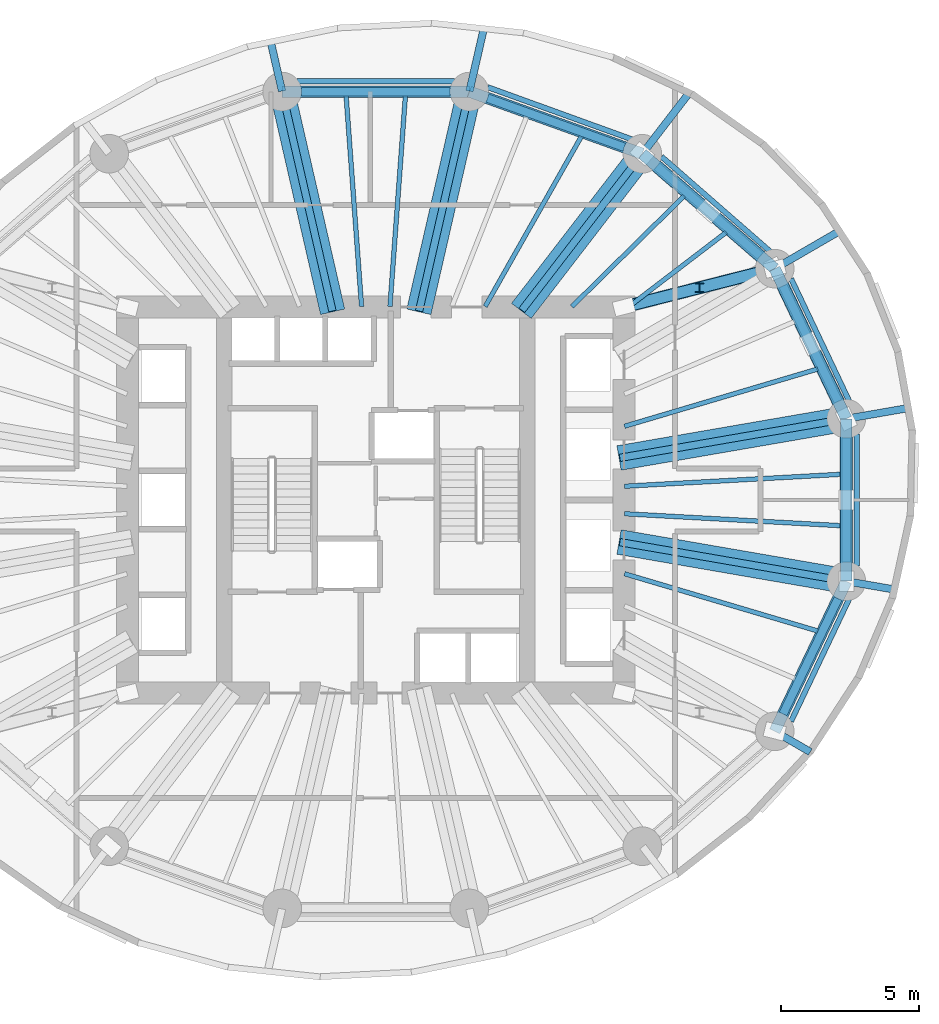
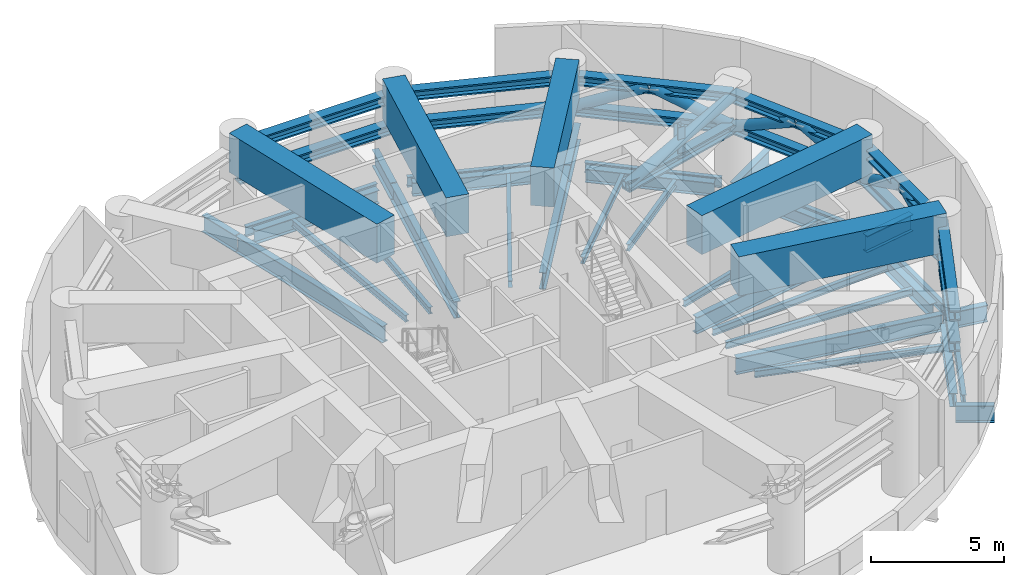
# One storey, part 3 of 8: 38 beams, 21 members.
"""IFC4 building model written with IfcOpenShell, lengths in metres."""

import ifcopenshell
import ifcopenshell.guid

model = None  # the IFC model being written
_history = None  # IfcOwnerHistory: only IFC2X3 demands one
_inside = {}  # id of a spatial element -> (the spatial element, [elements in it])
_under = {}  # id of a project, library or spatial element -> (it, [spatial elements below it])
_declared = {}  # id of a project -> (the project, [libraries it declares])
_typed = {}  # id of a type object -> (the type object, [elements of that type])
_made_of = {}  # id of a material, layer set ... -> (it, [elements and type objects made of it])


def new_model(schema):
    """Start an empty IFC model of exactly this schema.

    Asked for "IFC4X3", IfcOpenShell would pick the latest addendum, in which some entities
    have other attributes; the version numbers below select the first issue.
    IFC2X3 requires an IfcOwnerHistory on every rooted entity: one is made here for all.
    """
    global model, _history
    if schema == "IFC4X3":
        model = ifcopenshell.file(schema_version=(4, 3, 0, 0))
    else:
        model = ifcopenshell.file(schema=schema)
    _inside.clear()
    _under.clear()
    _declared.clear()
    _typed.clear()
    _made_of.clear()
    _history = None
    if model.schema == "IFC2X3":
        org = make("IfcOrganization", Name="unknown")
        user = make(
            "IfcPersonAndOrganization",
            ThePerson=make("IfcPerson", FamilyName="unknown"),
            TheOrganization=org,
        )
        app = make(
            "IfcApplication",
            ApplicationDeveloper=org,
            Version="unknown",
            ApplicationFullName="unknown",
            ApplicationIdentifier="unknown",
        )
        _history = make(
            "IfcOwnerHistory",
            OwningUser=user,
            OwningApplication=app,
            ChangeAction="ADDED",
            CreationDate=0,
        )
    return model


def make(cls, **values):
    """One entity of the class cls with the attributes given. An attribute that is None is left unset."""
    return model.create_entity(
        cls, **{name: value for name, value in values.items() if value is not None}
    )


def rooted(cls, **values):
    """An entity with a GlobalId (a new one), such as an element, a storey or a relation."""
    return make(cls, GlobalId=ifcopenshell.guid.new(), OwnerHistory=_history, **values)


def si_unit(unit_type, name, prefix=None):
    """IfcSIUnit, for example si_unit("LENGTHUNIT", "METRE", prefix="MILLI")."""
    return make("IfcSIUnit", UnitType=unit_type, Prefix=prefix, Name=name)


def assignment(units):
    """IfcUnitAssignment: the units of a project."""
    return None if units is None else make("IfcUnitAssignment", Units=units)


def point(xyz):
    """IfcCartesianPoint."""
    return None if xyz is None else make("IfcCartesianPoint", Coordinates=xyz)


def direction(xyz):
    """IfcDirection."""
    return None if xyz is None else make("IfcDirection", DirectionRatios=xyz)


def frame(location, z_axis=None, x_axis=None):
    """IfcAxis2Placement3D, a coordinate frame: its origin and axes. An axis left out is left unset."""
    return make(
        "IfcAxis2Placement3D",
        Location=point(location),
        Axis=direction(z_axis),
        RefDirection=direction(x_axis),
    )


def frame_2d(location, x_axis=None):
    """IfcAxis2Placement2D, a coordinate frame in the plane: its origin and x axis."""
    return make(
        "IfcAxis2Placement2D", Location=point(location), RefDirection=direction(x_axis)
    )


def origin():
    """The frame at (0, 0, 0) with its axes left unset."""
    return frame((0.0, 0.0, 0.0))


def origin_2d():
    """The frame at (0, 0) in the plane with its x axis left unset."""
    return frame_2d((0.0, 0.0))


def place(relative_to, where):
    """IfcLocalPlacement: puts the frame where relative to a parent placement (None: the world)."""
    return make(
        "IfcLocalPlacement", PlacementRelTo=relative_to, RelativePlacement=where
    )


def context(
    kind, dimensions, precision=None, world=None, true_north=None, identifier=None
):
    """IfcGeometricRepresentationContext, for example the 3D "Model" context."""
    return make(
        "IfcGeometricRepresentationContext",
        ContextIdentifier=identifier,
        ContextType=kind,
        CoordinateSpaceDimension=dimensions,
        Precision=precision,
        WorldCoordinateSystem=world,
        TrueNorth=true_north,
    )


def subcontext(parent, identifier, kind, view, scale=None):
    """IfcGeometricRepresentationSubContext, for example "Body" below "Model"."""
    return make(
        "IfcGeometricRepresentationSubContext",
        ContextIdentifier=identifier,
        ContextType=kind,
        ParentContext=parent,
        TargetScale=scale,
        TargetView=view,
    )


def project(units=None, contexts=None):
    """IfcProject with its units and contexts."""
    return rooted(
        "IfcProject",
        Name="project",
        RepresentationContexts=contexts,
        UnitsInContext=assignment(units),
    )


def spatial(cls, under=None, at=None, **own):
    """A site, building, storey or space (cls), placed at a placement, below another one or the project."""
    s = rooted(cls, ObjectPlacement=at, **own)
    if under is not None:
        _under.setdefault(under.id(), (under, []))[1].append(s)
    return s


def profile(cls, at=None, kind="AREA", **sizes):
    """A parametric profile (cls). Its sizes go by their IFC names, for example OverallWidth=200.0."""
    return make(cls, ProfileType=kind, Position=at, **sizes)


def rectangle(**sizes):
    """IfcRectangleProfileDef."""
    return profile("IfcRectangleProfileDef", **sizes)


def hollow_circle(**sizes):
    """IfcCircleHollowProfileDef."""
    return profile("IfcCircleHollowProfileDef", **sizes)


def i_section(**sizes):
    """IfcIShapeProfileDef."""
    return profile("IfcIShapeProfileDef", **sizes)


def extrude(swept, where, along, depth):
    """IfcExtrudedAreaSolid: the profile swept, set in the frame where, extruded along a direction by depth."""
    return make(
        "IfcExtrudedAreaSolid",
        SweptArea=swept,
        Position=where,
        ExtrudedDirection=direction(along),
        Depth=depth,
    )


def shape(context_of_items, identifier, shape_type, items):
    """IfcShapeRepresentation: the items that make up one representation, for example the "Body"."""
    return make(
        "IfcShapeRepresentation",
        ContextOfItems=context_of_items,
        RepresentationIdentifier=identifier,
        RepresentationType=shape_type,
        Items=items,
    )


def material(Name=None, Category=None):
    """IfcMaterial."""
    return make("IfcMaterial", Name=Name, Category=Category)


def material_profile(
    of_material, cross_section, Name=None, Category=None, Priority=None
):
    """IfcMaterialProfile: a cross section and its material."""
    return make(
        "IfcMaterialProfile",
        Name=Name,
        Material=of_material,
        Profile=cross_section,
        Priority=Priority,
        Category=Category,
    )


def profile_set(profiles, Name=None, composite=None):
    """IfcMaterialProfileSet."""
    return make(
        "IfcMaterialProfileSet",
        Name=Name,
        MaterialProfiles=profiles,
        CompositeProfile=composite,
    )


def made_of(thing, what):
    """Note that an element or type object is made of a material, layer set ...; save() writes the relation."""
    if what is not None:
        _made_of.setdefault(what.id(), (what, []))[1].append(thing)
    return thing


def type_object(cls, material=None, **own):
    """A type object (cls), such as IfcWallType, which elements share."""
    return made_of(rooted(cls, **own), material)


def element(
    cls,
    number,
    at=None,
    inside=None,
    cuts=None,
    type_object=None,
    material=None,
    context=None,
    identifier="Body",
    shape_type=None,
    held_by="IfcProductDefinitionShape",
    body=None,
    shapes=None,
    **own,
):
    """One element of the class cls, such as IfcWall. Its Tag is "e" and its number.

    at: its placement. inside: the storey or other place that contains it. cuts: it is an
    opening in that element (IfcRelVoidsElement). A single representation is given by context,
    identifier, shape_type and body (its items); several are given by shapes. held_by: the class
    of the entity that holds the representations. save() writes the other relations.
    """
    e = rooted(cls, Tag="e%d" % number, ObjectPlacement=at, **own)
    if body is not None:
        shapes = [shape(context, identifier, shape_type, body)]
    if shapes is not None:
        e.Representation = make(held_by, Representations=shapes)
    if inside is not None:
        _inside.setdefault(inside.id(), (inside, []))[1].append(e)
    if cuts is not None:
        rooted(
            "IfcRelVoidsElement", RelatingBuildingElement=cuts, RelatedOpeningElement=e
        )
    if type_object is not None:
        _typed.setdefault(type_object.id(), (type_object, []))[1].append(e)
    return made_of(e, material)


def aggregate(whole, parts):
    """IfcRelAggregates: a whole, such as a stair, and the parts it consists of."""
    return rooted("IfcRelAggregates", RelatingObject=whole, RelatedObjects=parts)


def save(model, path):
    """Write the relations noted so far, then the file.

    IfcRelAggregates (storeys below a building ...), IfcRelContainedInSpatialStructure (elements
    in a storey), IfcRelDefinesByType, IfcRelAssociatesMaterial and IfcRelDeclares: one each for
    every whole, place, type object, material and project.
    """
    for whole, parts in _under.values():
        aggregate(whole, parts)
    for where, things in _inside.values():
        rooted(
            "IfcRelContainedInSpatialStructure",
            RelatedElements=things,
            RelatingStructure=where,
        )
    for kind, things in _typed.values():
        rooted("IfcRelDefinesByType", RelatedObjects=things, RelatingType=kind)
    for what, things in _made_of.values():
        rooted("IfcRelAssociatesMaterial", RelatedObjects=things, RelatingMaterial=what)
    for by, libraries in _declared.values():
        rooted("IfcRelDeclares", RelatingContext=by, RelatedDefinitions=libraries)
    model.write(path)


model = new_model("IFC4")

# Units and contexts
model_context = context("Model", 3, precision=1e-05, world=origin(), true_north=direction((0.0, 1.0)))
body_context = subcontext(model_context, "Body", "Model", "MODEL_VIEW")
ifc_project = project(units=[si_unit("LENGTHUNIT", "METRE"), si_unit("AREAUNIT", "SQUARE_METRE"), si_unit("VOLUMEUNIT", "CUBIC_METRE"), si_unit("PLANEANGLEUNIT", "RADIAN"), si_unit("MASSUNIT", "GRAM", prefix="KILO")], contexts=[model_context])

# Site, building, storey
site_placement = place(None, origin())
site = spatial("IfcSite", under=ifc_project, at=site_placement, CompositionType="ELEMENT")
building_placement = place(site_placement, origin())
building = spatial("IfcBuilding", under=site, at=building_placement, Name="Veldorim Arch Residences", CompositionType="ELEMENT")
storey_placement = place(building_placement, frame((0.0, 0.0, 66.39990234375)))
storey = spatial("IfcBuildingStorey", under=building, at=storey_placement, Name="L19", CompositionType="ELEMENT", Elevation=66.39990234375)

# Members
ifc_material_1 = material(Name="Steel S460", Category="steel")
ifc_material_profile_1 = material_profile(ifc_material_1, hollow_circle(Radius=0.228515625, WallThickness=0.030029296875, at=origin_2d()), Name="CHS457x30")
ifc_profile_set_1 = profile_set([ifc_material_profile_1], Name="Steel S460")
member_type_1 = type_object("IfcMemberType", Name="Crown Diagrid CHS457x30", PredefinedType="BRACE", material=ifc_profile_set_1)
for number, where, z_axis, x_axis, name in (
    (1, (49.065673828125, 26.94580078125, 2.239990234375), (-0.389706081504, 0.816471226576, 0.426032752511), (-0.902469594312, -0.430753562194, 0.0), "L19 belt truss chevron brace 01A"),
    (2, (46.467529296875, 32.38916015625, 2.239990234375), (0.389706081504, -0.816471226576, 0.426032752511), (0.902469594312, 0.430753562194, 0.0), "L19 belt truss chevron brace 01B"),
):
    element("IfcMember", number, at=place(storey_placement, frame(where, z_axis=z_axis, x_axis=x_axis)), inside=storey, type_object=member_type_1, Name=name, PredefinedType="BRACE", context=body_context, shape_type="SweptSolid", body=[
        extrude(hollow_circle(Radius=0.228515625, WallThickness=0.030029296875, at=origin_2d()), origin(), (0.0, 0.0, 1.0), 3.33349609375),
    ])
for number, where, z_axis, x_axis, name in (
    (3, (46.467529296875, 32.38916015625, 2.239990234375), (-0.689523739175, 0.598414865491, 0.407991007098), (-0.655448058014, -0.755240255313, 0.0), "L19 belt truss chevron brace 02A"),
    (4, (41.6669921875, 36.55517578125, 2.239990234375), (0.689560527729, -0.598385925812, 0.407971276424), (0.655410030745, 0.755273256245, 0.0), "L19 belt truss chevron brace 02B"),
):
    element("IfcMember", number, at=place(storey_placement, frame(where, z_axis=z_axis, x_axis=x_axis)), inside=storey, type_object=member_type_1, Name=name, PredefinedType="BRACE", context=body_context, shape_type="SweptSolid", body=[
        extrude(hollow_circle(Radius=0.228515625, WallThickness=0.030029296875, at=origin_2d()), origin(), (0.0, 0.0, 1.0), 3.48095703125),
    ])
for number, where, z_axis, x_axis, name in (
    (5, (49.065673828125, 21.05419921875, 2.239990234375), (0.0, 0.900784326413, 0.434266735185), (-1.0, 0.0, 0.0), "L19 belt truss chevron brace 16A"),
    (6, (49.065673828125, 26.94580078125, 2.239990234375), (0.0, -0.900784326413, 0.434266735185), (1.0, 0.0, 0.0), "L19 belt truss chevron brace 16B"),
):
    element("IfcMember", number, at=place(storey_placement, frame(where, z_axis=z_axis, x_axis=x_axis)), inside=storey, type_object=member_type_1, Name=name, PredefinedType="BRACE", context=body_context, shape_type="SweptSolid", body=[
        extrude(hollow_circle(Radius=0.228515625, WallThickness=0.030029296875, at=origin_2d()), origin(), (0.0, 0.0, 1.0), 3.270263671875),
    ])
member_1_placement = place(storey_placement, frame((41.0, 31.0, 2.239990234375), z_axis=(0.939880508049, 0.238799736138, 0.244129712673), x_axis=(-0.246250643777, 0.969206180562, 0.0)))
element("IfcMember", 7, at=member_1_placement, inside=storey, type_object=member_type_1, Name="L19 outrigger truss diagonal 02", PredefinedType="BRACE", context=body_context, shape_type="SweptSolid", body=[
    extrude(hollow_circle(Radius=0.228515625, WallThickness=0.030029296875, at=origin_2d()), origin(), (0.0, 0.0, 1.0), 5.817138671875),
])

# Beams
ifc_material_2 = material(Name="Concrete C50/60", Category="concrete")
ifc_material_profile_2 = material_profile(ifc_material_2, rectangle(XDim=0.89990234375, YDim=1.800048828125, at=origin_2d()), Name="RC_RECT_900x1800")
ifc_profile_set_2 = profile_set([ifc_material_profile_2], Name="Concrete C50/60")
beam_type_1 = type_object("IfcBeamType", Name="Reinforced Concrete TRANSFER GIRDER RC_RECT_900x1800", PredefinedType="USERDEFINED", material=ifc_profile_set_2)
beam_1_placement = place(storey_placement, frame((40.822509765625, 25.52294921875, 3.580078125), z_axis=(0.985427744157, 0.170094565009, 0.0), x_axis=(-0.170094565009, 0.985427744157, 0.0)))
element("IfcBeam", 8, at=beam_1_placement, inside=storey, type_object=beam_type_1, Name="L19 zone-setback radial transfer girder 01", ObjectType="TRANSFER GIRDER", PredefinedType="USERDEFINED", context=body_context, shape_type="SweptSolid", body=[
    extrude(rectangle(XDim=0.89990234375, YDim=1.800048828125, at=origin_2d()), origin(), (0.0, 0.0, 1.0), 8.364990234375),
])
beam_2_placement = place(storey_placement, frame((37.27978515625, 30.857421875, 3.580078125), z_axis=(0.610088058259, 0.792333617342, 0.0), x_axis=(-0.792333617342, 0.610088058259, 0.0)))
element("IfcBeam", 9, at=beam_2_placement, inside=storey, type_object=beam_type_1, Name="L19 zone-setback radial transfer girder 03", ObjectType="TRANSFER GIRDER", PredefinedType="USERDEFINED", context=body_context, shape_type="SweptSolid", body=[
    extrude(rectangle(XDim=0.89990234375, YDim=1.800048828125, at=origin_2d()), origin(), (0.0, 0.0, 1.0), 7.191162109375),
])
for number, where, z_axis, x_axis, name in (
    (10, (33.564208984375, 30.824462890625, 3.580078125), (0.223416267343, 0.974723125552, 0.0), (-0.974723125552, 0.223416267343, 0.0), "L19 zone-setback radial transfer girder 04"),
    (11, (30.435791015625, 30.824462890625, 3.580078125), (-0.223416267343, 0.974723125552, 0.0), (-0.974723125552, -0.223416267343, 0.0), "L19 zone-setback radial transfer girder 05"),
):
    element("IfcBeam", number, at=place(storey_placement, frame(where, z_axis=z_axis, x_axis=x_axis)), inside=storey, type_object=beam_type_1, Name=name, ObjectType="TRANSFER GIRDER", PredefinedType="USERDEFINED", context=body_context, shape_type="SweptSolid", body=[
        extrude(rectangle(XDim=0.89990234375, YDim=1.800048828125, at=origin_2d()), origin(), (0.0, 0.0, 1.0), 8.1923828125),
    ])
beam_3_placement = place(storey_placement, frame((40.822509765625, 22.47705078125, 3.580078125), z_axis=(0.985427744157, -0.170094565009, 0.0), x_axis=(0.170094565009, 0.985427744157, 0.0)))
element("IfcBeam", 12, at=beam_3_placement, inside=storey, type_object=beam_type_1, Name="L19 zone-setback radial transfer girder 16", ObjectType="TRANSFER GIRDER", PredefinedType="USERDEFINED", context=body_context, shape_type="SweptSolid", body=[
    extrude(rectangle(XDim=0.89990234375, YDim=1.800048828125, at=origin_2d()), origin(), (0.0, 0.0, 1.0), 8.364990234375),
])
ifc_material_3 = material(Name="Steel S355", Category="steel")
ifc_material_profile_3 = material_profile(ifc_material_3, i_section(OverallWidth=0.30712890625, OverallDepth=0.6201171875, WebThickness=0.01416015625, FlangeThickness=0.023681640625, at=origin_2d()), Name="UB610x305x179")
ifc_profile_set_3 = profile_set([ifc_material_profile_3], Name="Steel S355")
beam_type_2 = type_object("IfcBeamType", Name="Structural Steel Beam UB610x305x179", PredefinedType="BEAM", material=ifc_profile_set_3)
beam_4_placement = place(storey_placement, frame((48.76416015625, 27.57763671875, -0.7099609375), z_axis=(-0.430776422552, 0.902458682585, 0.0), x_axis=(-0.902458682585, -0.430776422552, 0.0)))
element("IfcBeam", 13, at=beam_4_placement, inside=storey, type_object=beam_type_2, Name="L19 perimeter ring tie beam 01", PredefinedType="BEAM", context=body_context, shape_type="SweptSolid", body=[
    extrude(i_section(OverallWidth=0.30712890625, OverallDepth=0.6201171875, WebThickness=0.01416015625, FlangeThickness=0.023681640625, at=origin_2d()), origin(), (0.0, 0.0, 1.0), 4.63134765625),
])
beam_5_placement = place(storey_placement, frame((45.93896484375, 32.847900390625, -0.7099609375), z_axis=(-0.755264734985, 0.655419850239, 0.0), x_axis=(-0.655419850239, -0.755264734985, 0.0)))
element("IfcBeam", 14, at=beam_5_placement, inside=storey, type_object=beam_type_2, Name="L19 perimeter ring tie beam 02", PredefinedType="BEAM", context=body_context, shape_type="SweptSolid", body=[
    extrude(i_section(OverallWidth=0.30712890625, OverallDepth=0.6201171875, WebThickness=0.01416015625, FlangeThickness=0.023681640625, at=origin_2d()), origin(), (0.0, 0.0, 1.0), 4.956298828125),
])
beam_6_placement = place(storey_placement, frame((41.00830078125, 36.7919921875, -0.7099609375), z_axis=(-0.941058113369, 0.338244922006, 0.0), x_axis=(-0.338244922006, -0.941058113369, 0.0)))
element("IfcBeam", 15, at=beam_6_placement, inside=storey, type_object=beam_type_2, Name="L19 perimeter ring tie beam 03", PredefinedType="BEAM", context=body_context, shape_type="SweptSolid", body=[
    extrude(i_section(OverallWidth=0.30712890625, OverallDepth=0.6201171875, WebThickness=0.01416015625, FlangeThickness=0.023681640625, at=origin_2d()), origin(), (0.0, 0.0, 1.0), 5.265380859375),
])
beam_7_placement = place(storey_placement, frame((34.694580078125, 38.809814453125, -0.7099609375), z_axis=(-1.0, 0.0, 0.0), x_axis=(0.0, -1.0, 0.0)))
element("IfcBeam", 16, at=beam_7_placement, inside=storey, type_object=beam_type_2, Name="L19 perimeter ring tie beam 04", PredefinedType="BEAM", context=body_context, shape_type="SweptSolid", body=[
    extrude(i_section(OverallWidth=0.30712890625, OverallDepth=0.6201171875, WebThickness=0.01416015625, FlangeThickness=0.023681640625, at=origin_2d()), origin(), (0.0, 0.0, 1.0), 5.38916015625),
])
beam_8_placement = place(storey_placement, frame((46.76904296875, 16.24267578125, -0.7099609375), z_axis=(0.430776422552, 0.902458682585, 0.0), x_axis=(-0.902458682585, 0.430776422552, 0.0)))
element("IfcBeam", 17, at=beam_8_placement, inside=storey, type_object=beam_type_2, Name="L19 perimeter ring tie beam 15", PredefinedType="BEAM", context=body_context, shape_type="SweptSolid", body=[
    extrude(i_section(OverallWidth=0.30712890625, OverallDepth=0.6201171875, WebThickness=0.01416015625, FlangeThickness=0.023681640625, at=origin_2d()), origin(), (0.0, 0.0, 1.0), 4.63134765625),
])
beam_9_placement = place(storey_placement, frame((49.065673828125, 21.754150390625, -0.7099609375), z_axis=(0.0, 1.0, 0.0), x_axis=(-1.0, 0.0, 0.0)))
element("IfcBeam", 18, at=beam_9_placement, inside=storey, type_object=beam_type_2, Name="L19 perimeter ring tie beam 16", PredefinedType="BEAM", context=body_context, shape_type="SweptSolid", body=[
    extrude(i_section(OverallWidth=0.30712890625, OverallDepth=0.6201171875, WebThickness=0.01416015625, FlangeThickness=0.023681640625, at=origin_2d()), origin(), (0.0, 0.0, 1.0), 4.49169921875),
])
ifc_material_4 = material(Name="Steel S355", Category="steel")
ifc_material_profile_4 = material_profile(ifc_material_4, i_section(OverallWidth=0.26806640625, OverallDepth=0.769775390625, WebThickness=0.015625, FlangeThickness=0.025390625, at=origin_2d()), Name="UB762x267x197")
ifc_profile_set_4 = profile_set([ifc_material_profile_4], Name="Steel S355")
beam_type_3 = type_object("IfcBeamType", Name="Structural Steel GIRDER UB762x267x197", PredefinedType="USERDEFINED", material=ifc_profile_set_4)
beam_10_placement = place(storey_placement, frame((40.852294921875, 25.528076171875, -0.784912109375), z_axis=(0.985427548249, 0.170095699979, 0.0), x_axis=(-0.170095699979, 0.985427548249, 0.0)))
element("IfcBeam", 19, at=beam_10_placement, inside=storey, type_object=beam_type_3, Name="L19 radial floor girder 01", ObjectType="GIRDER", PredefinedType="USERDEFINED", context=body_context, shape_type="SweptSolid", body=[
    extrude(i_section(OverallWidth=0.26806640625, OverallDepth=0.769775390625, WebThickness=0.015625, FlangeThickness=0.025390625, at=origin_2d()), origin(), (0.0, 0.0, 1.0), 8.314697265625),
])
beam_11_placement = place(storey_placement, frame((49.08544921875, 26.94921875, -0.784912109375), z_axis=(0.985417723947, 0.170152606007, 0.0), x_axis=(-0.170152606007, 0.985417723947, 0.0)))
element("IfcBeam", 20, at=beam_11_placement, inside=storey, type_object=beam_type_3, Name="L19 radial edge cantilever girder 01", ObjectType="GIRDER", PredefinedType="USERDEFINED", context=body_context, shape_type="SweptSolid", body=[
    extrude(i_section(OverallWidth=0.26806640625, OverallDepth=0.769775390625, WebThickness=0.015625, FlangeThickness=0.025390625, at=origin_2d()), origin(), (0.0, 0.0, 1.0), 2.2626953125),
])
beam_12_placement = place(storey_placement, frame((46.48486328125, 32.399169921875, -0.784912109375), z_axis=(0.86508305724, 0.501628651571, 0.0), x_axis=(-0.501628651571, 0.86508305724, 0.0)))
element("IfcBeam", 21, at=beam_12_placement, inside=storey, type_object=beam_type_3, Name="L19 radial edge cantilever girder 02", ObjectType="GIRDER", PredefinedType="USERDEFINED", context=body_context, shape_type="SweptSolid", body=[
    extrude(i_section(OverallWidth=0.26806640625, OverallDepth=0.769775390625, WebThickness=0.015625, FlangeThickness=0.025390625, at=origin_2d()), origin(), (0.0, 0.0, 1.0), 2.6962890625),
])
beam_13_placement = place(storey_placement, frame((37.298095703125, 30.881103515625, -0.784912109375), z_axis=(0.610082439157, 0.792337943956, 0.0), x_axis=(-0.792337943956, 0.610082439157, 0.0)))
element("IfcBeam", 22, at=beam_13_placement, inside=storey, type_object=beam_type_3, Name="L19 radial floor girder 03", ObjectType="GIRDER", PredefinedType="USERDEFINED", context=body_context, shape_type="SweptSolid", body=[
    extrude(i_section(OverallWidth=0.26806640625, OverallDepth=0.769775390625, WebThickness=0.015625, FlangeThickness=0.025390625, at=origin_2d()), origin(), (0.0, 0.0, 1.0), 7.14111328125),
])
beam_14_placement = place(storey_placement, frame((41.67919921875, 36.571044921875, -0.784912109375), z_axis=(0.610050554915, 0.792362493085, 0.0), x_axis=(-0.792362493085, 0.610050554915, 0.0)))
element("IfcBeam", 23, at=beam_14_placement, inside=storey, type_object=beam_type_3, Name="L19 radial edge cantilever girder 03", ObjectType="GIRDER", PredefinedType="USERDEFINED", context=body_context, shape_type="SweptSolid", body=[
    extrude(i_section(OverallWidth=0.26806640625, OverallDepth=0.769775390625, WebThickness=0.015625, FlangeThickness=0.025390625, at=origin_2d()), origin(), (0.0, 0.0, 1.0), 2.77734375),
])
beam_15_placement = place(storey_placement, frame((33.571044921875, 30.853759765625, -0.784912109375), z_axis=(0.223411766201, 0.974724157248, 0.0), x_axis=(-0.974724157248, 0.223411766201, 0.0)))
element("IfcBeam", 24, at=beam_15_placement, inside=storey, type_object=beam_type_3, Name="L19 radial floor girder 04", ObjectType="GIRDER", PredefinedType="USERDEFINED", context=body_context, shape_type="SweptSolid", body=[
    extrude(i_section(OverallWidth=0.26806640625, OverallDepth=0.769775390625, WebThickness=0.015625, FlangeThickness=0.025390625, at=origin_2d()), origin(), (0.0, 0.0, 1.0), 8.142333984375),
])
beam_16_placement = place(storey_placement, frame((35.399169921875, 38.829345703125, -0.784912109375), z_axis=(0.223361660635, 0.974735640345, 0.0), x_axis=(-0.974735640345, 0.223361660635, 0.0)))
element("IfcBeam", 25, at=beam_16_placement, inside=storey, type_object=beam_type_3, Name="L19 radial edge cantilever girder 04", ObjectType="GIRDER", PredefinedType="USERDEFINED", context=body_context, shape_type="SweptSolid", body=[
    extrude(i_section(OverallWidth=0.26806640625, OverallDepth=0.769775390625, WebThickness=0.015625, FlangeThickness=0.025390625, at=origin_2d()), origin(), (0.0, 0.0, 1.0), 2.33349609375),
])
beam_17_placement = place(storey_placement, frame((30.428955078125, 30.853759765625, -0.784912109375), z_axis=(-0.223411766201, 0.974724157248, 0.0), x_axis=(-0.974724157248, -0.223411766201, 0.0)))
element("IfcBeam", 26, at=beam_17_placement, inside=storey, type_object=beam_type_3, Name="L19 radial floor girder 05", ObjectType="GIRDER", PredefinedType="USERDEFINED", context=body_context, shape_type="SweptSolid", body=[
    extrude(i_section(OverallWidth=0.26806640625, OverallDepth=0.769775390625, WebThickness=0.015625, FlangeThickness=0.025390625, at=origin_2d()), origin(), (0.0, 0.0, 1.0), 8.142333984375),
])
beam_18_placement = place(storey_placement, frame((28.600830078125, 38.829345703125, -0.784912109375), z_axis=(-0.223328905736, 0.974743145584, 0.0), x_axis=(-0.974743145584, -0.223328905736, 0.0)))
element("IfcBeam", 27, at=beam_18_placement, inside=storey, type_object=beam_type_3, Name="L19 radial edge cantilever girder 05", ObjectType="GIRDER", PredefinedType="USERDEFINED", context=body_context, shape_type="SweptSolid", body=[
    extrude(i_section(OverallWidth=0.26806640625, OverallDepth=0.769775390625, WebThickness=0.015625, FlangeThickness=0.025390625, at=origin_2d()), origin(), (0.0, 0.0, 1.0), 1.8408203125),
])
beam_19_placement = place(storey_placement, frame((46.48486328125, 15.600830078125, -0.784912109375), z_axis=(0.865077323252, -0.501638539981, 0.0), x_axis=(0.501638539981, 0.865077323252, 0.0)))
element("IfcBeam", 28, at=beam_19_placement, inside=storey, type_object=beam_type_3, Name="L19 radial edge cantilever girder 15", ObjectType="GIRDER", PredefinedType="USERDEFINED", context=body_context, shape_type="SweptSolid", body=[
    extrude(i_section(OverallWidth=0.26806640625, OverallDepth=0.769775390625, WebThickness=0.015625, FlangeThickness=0.025390625, at=origin_2d()), origin(), (0.0, 0.0, 1.0), 1.4697265625),
])
beam_20_placement = place(storey_placement, frame((40.852294921875, 22.471923828125, -0.784912109375), z_axis=(0.985427548249, -0.170095699979, 0.0), x_axis=(0.170095699979, 0.985427548249, 0.0)))
element("IfcBeam", 29, at=beam_20_placement, inside=storey, type_object=beam_type_3, Name="L19 radial floor girder 16", ObjectType="GIRDER", PredefinedType="USERDEFINED", context=body_context, shape_type="SweptSolid", body=[
    extrude(i_section(OverallWidth=0.26806640625, OverallDepth=0.769775390625, WebThickness=0.015625, FlangeThickness=0.025390625, at=origin_2d()), origin(), (0.0, 0.0, 1.0), 8.314697265625),
])
beam_21_placement = place(storey_placement, frame((49.08544921875, 21.05078125, -0.784912109375), z_axis=(0.985430392323, -0.170079222384, 0.0), x_axis=(0.170079222384, 0.985430392323, 0.0)))
element("IfcBeam", 30, at=beam_21_placement, inside=storey, type_object=beam_type_3, Name="L19 radial edge cantilever girder 16", ObjectType="GIRDER", PredefinedType="USERDEFINED", context=body_context, shape_type="SweptSolid", body=[
    extrude(i_section(OverallWidth=0.26806640625, OverallDepth=0.769775390625, WebThickness=0.015625, FlangeThickness=0.025390625, at=origin_2d()), origin(), (0.0, 0.0, 1.0), 1.755615234375),
])
ifc_material_5 = material(Name="Steel S355", Category="steel")
ifc_material_profile_5 = material_profile(ifc_material_5, i_section(OverallWidth=0.165771484375, OverallDepth=0.306640625, WebThickness=0.006591796875, FlangeThickness=0.01171875, at=origin_2d()), Name="UB305x165x46")
ifc_profile_set_5 = profile_set([ifc_material_profile_5], Name="Steel S355")
beam_type_4 = type_object("IfcBeamType", Name="Structural Steel Joist UB305x165x46", PredefinedType="JOIST", material=ifc_profile_set_5)
beam_22_placement = place(storey_placement, frame((41.019287109375, 26.67333984375, -0.55322265625), z_axis=(0.958766778771, 0.284194060325, 0.0), x_axis=(-0.284194060325, 0.958766778771, 0.0)))
element("IfcBeam", 31, at=beam_22_placement, inside=storey, type_object=beam_type_4, Name="L19 secondary radial floor joist 01-1", PredefinedType="JOIST", context=body_context, shape_type="SweptSolid", body=[
    extrude(i_section(OverallWidth=0.165771484375, OverallDepth=0.306640625, WebThickness=0.006591796875, FlangeThickness=0.01171875, at=origin_2d()), origin(), (0.0, 0.0, 1.0), 7.3115234375),
])
beam_23_placement = place(storey_placement, frame((41.015869140625, 30.8876953125, -0.55322265625), z_axis=(0.794666431166, 0.607046343517, 0.0), x_axis=(-0.607046343517, 0.794666431166, 0.0)))
element("IfcBeam", 32, at=beam_23_placement, inside=storey, type_object=beam_type_4, Name="L19 secondary radial floor joist 02-1", PredefinedType="JOIST", context=body_context, shape_type="SweptSolid", body=[
    extrude(i_section(OverallWidth=0.165771484375, OverallDepth=0.306640625, WebThickness=0.006591796875, FlangeThickness=0.01171875, at=origin_2d()), origin(), (0.0, 0.0, 1.0), 4.646728515625),
])
beam_24_placement = place(storey_placement, frame((39.114990234375, 31.013916015625, -0.55322265625), z_axis=(0.712129078446, 0.702048556463, 0.0), x_axis=(-0.702048556463, 0.712129078446, 0.0)))
element("IfcBeam", 33, at=beam_24_placement, inside=storey, type_object=beam_type_4, Name="L19 secondary radial floor joist 02-2", PredefinedType="JOIST", context=body_context, shape_type="SweptSolid", body=[
    extrude(i_section(OverallWidth=0.165771484375, OverallDepth=0.306640625, WebThickness=0.006591796875, FlangeThickness=0.01171875, at=origin_2d()), origin(), (0.0, 0.0, 1.0), 5.715576171875),
])
beam_25_placement = place(storey_placement, frame((35.96875, 31.017333984375, -0.55322265625), z_axis=(0.492292335352, 0.870429926274, 0.0), x_axis=(-0.870429926274, 0.492292335352, 0.0)))
element("IfcBeam", 34, at=beam_25_placement, inside=storey, type_object=beam_type_4, Name="L19 secondary radial floor joist 03-1", PredefinedType="JOIST", context=body_context, shape_type="SweptSolid", body=[
    extrude(i_section(OverallWidth=0.165771484375, OverallDepth=0.306640625, WebThickness=0.006591796875, FlangeThickness=0.01171875, at=origin_2d()), origin(), (0.0, 0.0, 1.0), 7.083251953125),
])
for number, where, z_axis, x_axis, name in (
    (35, (32.514892578125, 31.02001953125, -0.55322265625), (0.073167620373, 0.997319657547, 0.0), (-0.997319657547, 0.073167620373, 0.0), "L19 secondary radial floor joist 04-1"),
    (36, (31.485107421875, 31.02001953125, -0.55322265625), (-0.073167620373, 0.997319657547, 0.0), (-0.997319657547, -0.073167620373, 0.0), "L19 secondary radial floor joist 04-2"),
):
    element("IfcBeam", number, at=place(storey_placement, frame(where, z_axis=z_axis, x_axis=x_axis)), inside=storey, type_object=beam_type_4, Name=name, PredefinedType="JOIST", context=body_context, shape_type="SweptSolid", body=[
        extrude(i_section(OverallWidth=0.165771484375, OverallDepth=0.306640625, WebThickness=0.006591796875, FlangeThickness=0.01171875, at=origin_2d()), origin(), (0.0, 0.0, 1.0), 7.651123046875),
    ])
beam_26_placement = place(storey_placement, frame((41.019287109375, 21.32666015625, -0.55322265625), z_axis=(0.958766778771, -0.284194060325, 0.0), x_axis=(0.284194060325, 0.958766778771, 0.0)))
element("IfcBeam", 37, at=beam_26_placement, inside=storey, type_object=beam_type_4, Name="L19 secondary radial floor joist 15-2", PredefinedType="JOIST", context=body_context, shape_type="SweptSolid", body=[
    extrude(i_section(OverallWidth=0.165771484375, OverallDepth=0.306640625, WebThickness=0.006591796875, FlangeThickness=0.01171875, at=origin_2d()), origin(), (0.0, 0.0, 1.0), 7.3115234375),
])
for number, where, z_axis, x_axis, name in (
    (38, (41.02001953125, 23.501708984375, -0.55322265625), (0.998478371109, -0.055144740699, 0.0), (0.055144740699, 0.998478371109, 0.0), "L19 secondary radial floor joist 16-1"),
    (39, (41.02001953125, 24.498291015625, -0.55322265625), (0.998478371109, 0.055144740699, 0.0), (-0.055144740699, 0.998478371109, 0.0), "L19 secondary radial floor joist 16-2"),
):
    element("IfcBeam", number, at=place(storey_placement, frame(where, z_axis=z_axis, x_axis=x_axis)), inside=storey, type_object=beam_type_4, Name=name, PredefinedType="JOIST", context=body_context, shape_type="SweptSolid", body=[
        extrude(i_section(OverallWidth=0.165771484375, OverallDepth=0.306640625, WebThickness=0.006591796875, FlangeThickness=0.01171875, at=origin_2d()), origin(), (0.0, 0.0, 1.0), 7.898193359375),
    ])
ifc_material_6 = material(Name="Steel S355", Category="steel")
ifc_material_profile_6 = material_profile(ifc_material_6, i_section(OverallWidth=0.19140625, OverallDepth=0.4599609375, WebThickness=0.010009765625, FlangeThickness=0.01611328125, at=origin_2d()), Name="UB457x191x82")
ifc_profile_set_6 = profile_set([ifc_material_profile_6], Name="Steel S355")
beam_type_5 = type_object("IfcBeamType", Name="Structural Steel Spandrel UB457x191x82", PredefinedType="SPANDREL", material=ifc_profile_set_6)
beam_27_placement = place(storey_placement, frame((49.176025390625, 27.56689453125, -0.64990234375), z_axis=(-0.428847831425, 0.903376741721, 0.0), x_axis=(-0.903376741721, -0.428847831425, 0.0)))
element("IfcBeam", 40, at=beam_27_placement, inside=storey, type_object=beam_type_5, Name="L19 perimeter chord spandrel beam 01", PredefinedType="SPANDREL", context=body_context, shape_type="SweptSolid", body=[
    extrude(i_section(OverallWidth=0.19140625, OverallDepth=0.4599609375, WebThickness=0.010009765625, FlangeThickness=0.01611328125, at=origin_2d()), origin(), (0.0, 0.0, 1.0), 4.932861328125),
])
beam_28_placement = place(storey_placement, frame((46.332275390625, 32.98486328125, -0.64990234375), z_axis=(-0.75323350982, 0.657753205758, 0.0), x_axis=(-0.657753205758, -0.75323350982, 0.0)))
element("IfcBeam", 41, at=beam_28_placement, inside=storey, type_object=beam_type_5, Name="L19 perimeter chord spandrel beam 02", PredefinedType="SPANDREL", context=body_context, shape_type="SweptSolid", body=[
    extrude(i_section(OverallWidth=0.19140625, OverallDepth=0.4599609375, WebThickness=0.010009765625, FlangeThickness=0.01611328125, at=origin_2d()), origin(), (0.0, 0.0, 1.0), 5.27001953125),
])
beam_29_placement = place(storey_placement, frame((41.319580078125, 37.06591796875, -0.64990234375), z_axis=(-0.940268980555, 0.340432437064, 0.0), x_axis=(-0.340432437064, -0.940268980555, 0.0)))
element("IfcBeam", 42, at=beam_29_placement, inside=storey, type_object=beam_type_5, Name="L19 perimeter chord spandrel beam 03", PredefinedType="SPANDREL", context=body_context, shape_type="SweptSolid", body=[
    extrude(i_section(OverallWidth=0.19140625, OverallDepth=0.4599609375, WebThickness=0.010009765625, FlangeThickness=0.01611328125, at=origin_2d()), origin(), (0.0, 0.0, 1.0), 5.59521484375),
])
beam_30_placement = place(storey_placement, frame((34.863525390625, 39.180419921875, -0.64990234375), z_axis=(-1.0, 0.0, 0.0), x_axis=(0.0, -1.0, 0.0)))
element("IfcBeam", 43, at=beam_30_placement, inside=storey, type_object=beam_type_5, Name="L19 perimeter chord spandrel beam 04", PredefinedType="SPANDREL", context=body_context, shape_type="SweptSolid", body=[
    extrude(i_section(OverallWidth=0.19140625, OverallDepth=0.4599609375, WebThickness=0.010009765625, FlangeThickness=0.01611328125, at=origin_2d()), origin(), (0.0, 0.0, 1.0), 5.72705078125),
])
beam_31_placement = place(storey_placement, frame((47.060546875, 15.976806640625, -0.64990234375), z_axis=(0.428847831425, 0.903376741721, 0.0), x_axis=(-0.903376741721, 0.428847831425, 0.0)))
element("IfcBeam", 44, at=beam_31_placement, inside=storey, type_object=beam_type_5, Name="L19 perimeter chord spandrel beam 15", PredefinedType="SPANDREL", context=body_context, shape_type="SweptSolid", body=[
    extrude(i_section(OverallWidth=0.19140625, OverallDepth=0.4599609375, WebThickness=0.010009765625, FlangeThickness=0.01611328125, at=origin_2d()), origin(), (0.0, 0.0, 1.0), 4.932861328125),
])
beam_32_placement = place(storey_placement, frame((49.440185546875, 21.60546875, -0.64990234375), z_axis=(0.0, 1.0, 0.0), x_axis=(-1.0, 0.0, 0.0)))
element("IfcBeam", 45, at=beam_32_placement, inside=storey, type_object=beam_type_5, Name="L19 perimeter chord spandrel beam 16", PredefinedType="SPANDREL", context=body_context, shape_type="SweptSolid", body=[
    extrude(i_section(OverallWidth=0.19140625, OverallDepth=0.4599609375, WebThickness=0.010009765625, FlangeThickness=0.01611328125, at=origin_2d()), origin(), (0.0, 0.0, 1.0), 4.7890625),
])

# Members
ifc_material_7 = material(Name="Steel S460", Category="steel")
ifc_material_profile_7 = material_profile(ifc_material_7, i_section(OverallWidth=0.41845703125, OverallDepth=0.45556640625, WebThickness=0.0419921875, FlangeThickness=0.0673828125, at=origin_2d()), Name="UC356x406x551")
ifc_profile_set_7 = profile_set([ifc_material_profile_7], Name="Steel S460")
member_type_2 = type_object("IfcMemberType", Name="Truss Chord UC356x406x551", PredefinedType="CHORD", material=ifc_profile_set_7)
for number, where, z_axis, x_axis, name in (
    (46, (49.065673828125, 26.94580078125, 2.239990234375), (-0.430753562194, 0.902469594312, 0.0), (-0.902469594312, -0.430753562194, 0.0), "L19 belt truss bottom chord 01"),
    (47, (49.065673828125, 26.94580078125, 3.66015625), (-0.430753562194, 0.902469594312, 0.0), (-0.902469594312, -0.430753562194, 0.0), "L19 belt truss top chord 01"),
):
    element("IfcMember", number, at=place(storey_placement, frame(where, z_axis=z_axis, x_axis=x_axis)), inside=storey, type_object=member_type_2, Name=name, PredefinedType="CHORD", context=body_context, shape_type="SweptSolid", body=[
        extrude(i_section(OverallWidth=0.41845703125, OverallDepth=0.45556640625, WebThickness=0.0419921875, FlangeThickness=0.0673828125, at=origin_2d()), origin(), (0.0, 0.0, 1.0), 6.03173828125),
    ])
for number, where, z_axis, x_axis, name in (
    (48, (46.467529296875, 32.38916015625, 2.239990234375), (-0.755256756497, 0.655429044035, 0.0), (-0.655429044035, -0.755256756497, 0.0), "L19 belt truss bottom chord 02"),
    (49, (46.467529296875, 32.38916015625, 3.66015625), (-0.755256756497, 0.655429044035, 0.0), (-0.655429044035, -0.755256756497, 0.0), "L19 belt truss top chord 02"),
):
    element("IfcMember", number, at=place(storey_placement, frame(where, z_axis=z_axis, x_axis=x_axis)), inside=storey, type_object=member_type_2, Name=name, PredefinedType="CHORD", context=body_context, shape_type="SweptSolid", body=[
        extrude(i_section(OverallWidth=0.41845703125, OverallDepth=0.45556640625, WebThickness=0.0419921875, FlangeThickness=0.0673828125, at=origin_2d()), origin(), (0.0, 0.0, 1.0), 6.356201171875),
    ])
for number, where, z_axis, x_axis, name in (
    (50, (41.6669921875, 36.55517578125, 2.239990234375), (-0.941052127441, 0.338261575468, 0.0), (-0.338261575468, -0.941052127441, 0.0), "L19 belt truss bottom chord 03"),
    (51, (41.6669921875, 36.55517578125, 3.66015625), (-0.941052127441, 0.338261575468, 0.0), (-0.338261575468, -0.941052127441, 0.0), "L19 belt truss top chord 03"),
):
    element("IfcMember", number, at=place(storey_placement, frame(where, z_axis=z_axis, x_axis=x_axis)), inside=storey, type_object=member_type_2, Name=name, PredefinedType="CHORD", context=body_context, shape_type="SweptSolid", body=[
        extrude(i_section(OverallWidth=0.41845703125, OverallDepth=0.45556640625, WebThickness=0.0419921875, FlangeThickness=0.0673828125, at=origin_2d()), origin(), (0.0, 0.0, 1.0), 6.665283203125),
    ])
for number, where, z_axis, x_axis, name in (
    (52, (35.39453125, 38.809814453125, 2.239990234375), (-1.0, 0.0, 0.0), (0.0, -1.0, 0.0), "L19 belt truss bottom chord 04"),
    (53, (35.39453125, 38.809814453125, 3.66015625), (-1.0, 0.0, 0.0), (0.0, -1.0, 0.0), "L19 belt truss top chord 04"),
):
    element("IfcMember", number, at=place(storey_placement, frame(where, z_axis=z_axis, x_axis=x_axis)), inside=storey, type_object=member_type_2, Name=name, PredefinedType="CHORD", context=body_context, shape_type="SweptSolid", body=[
        extrude(i_section(OverallWidth=0.41845703125, OverallDepth=0.45556640625, WebThickness=0.0419921875, FlangeThickness=0.0673828125, at=origin_2d()), origin(), (0.0, 0.0, 1.0), 6.7890625),
    ])
for number, where, z_axis, x_axis, name in (
    (54, (46.467529296875, 15.61083984375, 2.239990234375), (0.430753562194, 0.902469594312, 0.0), (-0.902469594312, 0.430753562194, 0.0), "L19 belt truss bottom chord 15"),
    (55, (46.467529296875, 15.61083984375, 3.66015625), (0.430753562194, 0.902469594312, 0.0), (-0.902469594312, 0.430753562194, 0.0), "L19 belt truss top chord 15"),
):
    element("IfcMember", number, at=place(storey_placement, frame(where, z_axis=z_axis, x_axis=x_axis)), inside=storey, type_object=member_type_2, Name=name, PredefinedType="CHORD", context=body_context, shape_type="SweptSolid", body=[
        extrude(i_section(OverallWidth=0.41845703125, OverallDepth=0.45556640625, WebThickness=0.0419921875, FlangeThickness=0.0673828125, at=origin_2d()), origin(), (0.0, 0.0, 1.0), 6.03173828125),
    ])
for number, where, z_axis, x_axis, name in (
    (56, (49.065673828125, 21.05419921875, 2.239990234375), (0.0, 1.0, 0.0), (-1.0, 0.0, 0.0), "L19 belt truss bottom chord 16"),
    (57, (49.065673828125, 21.05419921875, 3.66015625), (0.0, 1.0, 0.0), (-1.0, 0.0, 0.0), "L19 belt truss top chord 16"),
):
    element("IfcMember", number, at=place(storey_placement, frame(where, z_axis=z_axis, x_axis=x_axis)), inside=storey, type_object=member_type_2, Name=name, PredefinedType="CHORD", context=body_context, shape_type="SweptSolid", body=[
        extrude(i_section(OverallWidth=0.41845703125, OverallDepth=0.45556640625, WebThickness=0.0419921875, FlangeThickness=0.0673828125, at=origin_2d()), origin(), (0.0, 0.0, 1.0), 5.8916015625),
    ])
member_2_placement = place(storey_placement, frame((41.0, 31.0, 2.239990234375), z_axis=(0.969206180562, 0.246250643777, 0.0), x_axis=(-0.246250643777, 0.969206180562, 0.0)))
element("IfcMember", 58, at=member_2_placement, inside=storey, type_object=member_type_2, Name="L19 outrigger truss bottom chord 02", PredefinedType="CHORD", context=body_context, shape_type="SweptSolid", body=[
    extrude(i_section(OverallWidth=0.41845703125, OverallDepth=0.45556640625, WebThickness=0.0419921875, FlangeThickness=0.0673828125, at=origin_2d()), origin(), (0.0, 0.0, 1.0), 5.641357421875),
])
ifc_material_8 = material(Name="Steel S460", Category="steel")
ifc_material_profile_8 = material_profile(ifc_material_8, i_section(OverallWidth=0.311279296875, OverallDepth=0.3271484375, WebThickness=0.015869140625, FlangeThickness=0.02490234375, at=origin_2d()), Name="UC305x305x158")
ifc_profile_set_8 = profile_set([ifc_material_profile_8], Name="Steel S460")
member_type_3 = type_object("IfcMemberType", Name="Truss Post UC305x305x158", PredefinedType="POST", material=ifc_profile_set_8)
member_3_placement = place(storey_placement, frame((43.73388671875, 31.694580078125, 2.239990234375), z_axis=(0.0, 0.0, 1.0), x_axis=(1.0, 0.0, 0.0)))
element("IfcMember", 59, at=member_3_placement, inside=storey, type_object=member_type_3, Name="L19 outrigger truss mid-post 02", PredefinedType="POST", context=body_context, shape_type="SweptSolid", body=[
    extrude(i_section(OverallWidth=0.311279296875, OverallDepth=0.3271484375, WebThickness=0.015869140625, FlangeThickness=0.02490234375, at=origin_2d()), origin(), (0.0, 0.0, 1.0), 1.420166015625),
])

save(model, "model.ifc")
